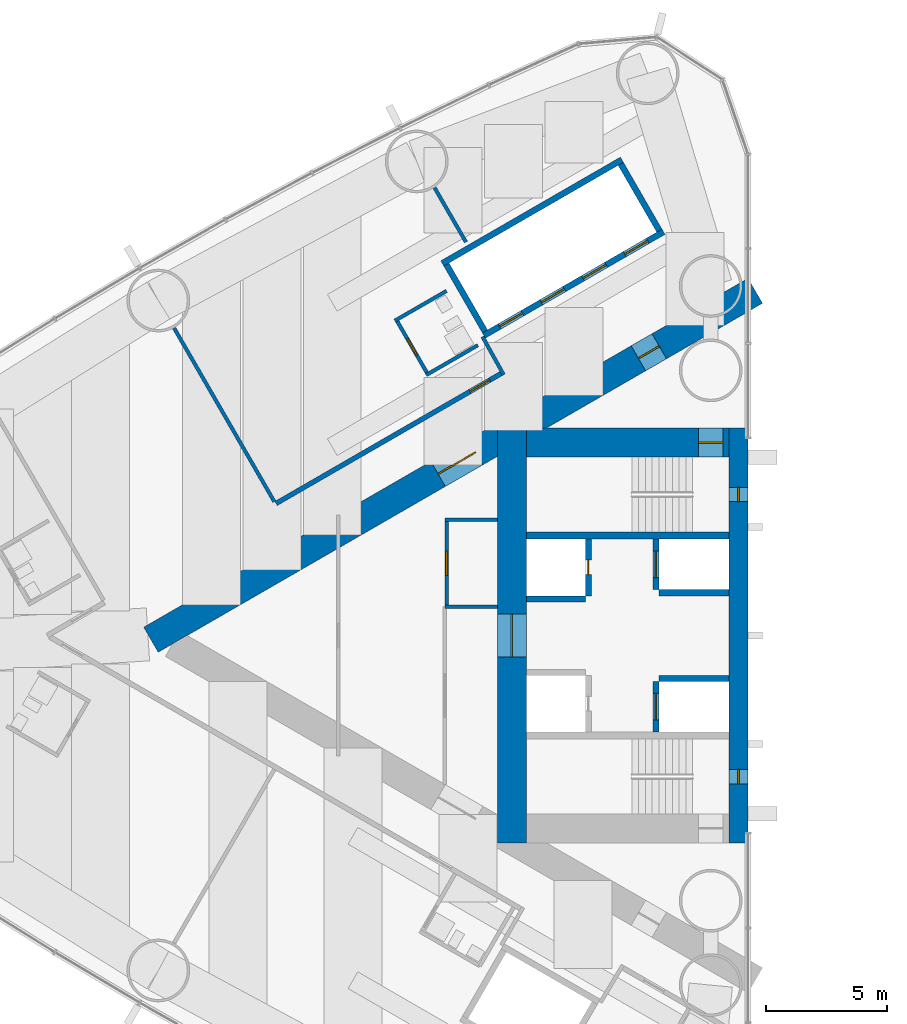
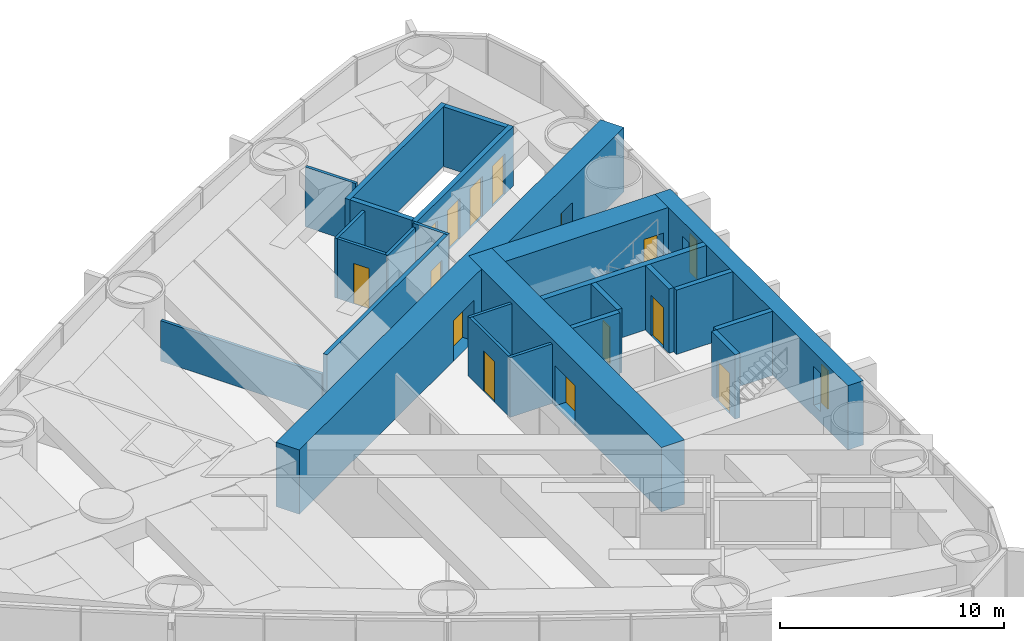
# One storey, part 12 of 18: 25 walls, 14 doors, 2 windows, 16 openings.
"""IFC4 building model written with IfcOpenShell, lengths in metres."""

from ifc_helpers import new_model, si_unit, direction, frame, frame_2d, origin, place, context, subcontext, project, spatial, rectangle, extrude, material, layer, layer_set, type_object, element, fill, save


model = new_model("IFC4")

# Units and contexts
model_context = context("Model", 3, precision=1e-05, world=origin(), true_north=direction((0.0, 1.0)))
body_context = subcontext(model_context, "Body", "Model", "MODEL_VIEW")
ifc_project = project(units=[si_unit("LENGTHUNIT", "METRE"), si_unit("AREAUNIT", "SQUARE_METRE"), si_unit("VOLUMEUNIT", "CUBIC_METRE"), si_unit("PLANEANGLEUNIT", "RADIAN"), si_unit("MASSUNIT", "GRAM", prefix="KILO")], contexts=[model_context])

# Site, building, storey
site_placement = place(None, origin())
site = spatial("IfcSite", under=ifc_project, at=site_placement, CompositionType="ELEMENT")
building_placement = place(site_placement, origin())
building = spatial("IfcBuilding", under=site, at=building_placement, Name="Lancet Gate Hotel", CompositionType="ELEMENT")
storey_placement = place(building_placement, frame((0.0, 0.0, 101.10009765625)))
storey = spatial("IfcBuildingStorey", under=building, at=storey_placement, Name="L26", CompositionType="ELEMENT", Elevation=101.10009765625)

# Wall
ifc_material_1 = material(Name="Moisture resistant board partition")
ifc_layer_1 = layer(ifc_material_1, 0.14990234375)
ifc_layer_set_1 = layer_set([ifc_layer_1], Name="Bathroom wall 150")
wall_type_1 = type_object("IfcWallType", Name="Bathroom wall 150", PredefinedType="PARTITIONING", material=ifc_layer_set_1)
wall_1_placement = place(storey_placement, frame((-40.009765625, 14.294189453125, 0.0), z_axis=(0.0, 0.0, 1.0), x_axis=(-0.866031185235, -0.4999899861, 0.0)))
element("IfcWall", 1, at=wall_1_placement, inside=storey, type_object=wall_type_1, Name="T1 bathroom wall 150 L26", PredefinedType="PARTITIONING", context=body_context, shape_type="SweptSolid", body=[
    extrude(rectangle(XDim=2.47509765625, YDim=0.14990234375, at=frame_2d((1.237548828125, 0.0))), origin(), (0.0, 0.0, 1.0), 3.25),
])

# Wall, opening, door
wall_2_placement = place(storey_placement, frame((-40.788330078125, 10.842529296875, 0.0), z_axis=(0.0, 0.0, 1.0), x_axis=(-0.500006934395, 0.866021400173, 0.0)))
wall_2 = element("IfcWall", 2, at=wall_2_placement, inside=storey, type_object=wall_type_1, Name="T1 bathroom wall 150 L26", PredefinedType="PARTITIONING", context=body_context, shape_type="SweptSolid", body=[
    extrude(rectangle(XDim=2.60009765625, YDim=0.14990234375, at=frame_2d((1.300048828125, 0.0))), origin(), (0.0, 0.0, 1.0), 3.25),
])
opening_1_placement = place(wall_2_placement, frame((0.89990234375, 0.0, 0.0)))
opening_1 = element("IfcOpeningElement", 3, at=opening_1_placement, cuts=wall_2, Name="Opening 2602-B", PredefinedType="OPENING", context=body_context, shape_type="SweptSolid", body=[
    extrude(rectangle(XDim=0.800048828125, YDim=2.199951171875, at=frame_2d((0.39990234375, 1.10009765625))), frame((0.0, 0.0849609375, 0.0), z_axis=(0.0, -1.0, 0.0), x_axis=(1.0, 0.0, 0.0)), (0.0, 0.0, 1.0), 0.169921875),
])
ifc_material_2 = material(Name="Timber door set", Category="wood")
door_type_1 = type_object("IfcDoorType", Name="Bathroom door 800", OperationType="SINGLE_SWING_RIGHT", PredefinedType="DOOR", material=ifc_material_2)
door_1_placement = place(opening_1_placement, origin())
door_1 = element("IfcDoor", 4, at=door_1_placement, inside=storey, type_object=door_type_1, Name="2602-B", OperationType="SINGLE_SWING_RIGHT", OverallHeight=2.199951171875, OverallWidth=0.800048828125, PredefinedType="DOOR", context=body_context, shape_type="SweptSolid", body=[
    extrude(rectangle(XDim=0.800048828125, YDim=2.199951171875, at=frame_2d((0.39990234375, 1.10009765625))), frame((0.0, 0.02490234375, 0.0), z_axis=(0.0, -1.0, 0.0), x_axis=(1.0, 0.0, 0.0)), (0.0, 0.0, 1.0), 0.050048828125),
])
fill(opening_1, door_1)

# Wall
wall_3_placement = place(storey_placement, frame((-38.7099609375, 12.04248046875, 0.0), z_axis=(0.0, 0.0, 1.0), x_axis=(-0.86604923931, -0.499958713387, 0.0)))
element("IfcWall", 5, at=wall_3_placement, inside=storey, type_object=wall_type_1, Name="T1 bathroom wall 150 L26", PredefinedType="PARTITIONING", context=body_context, shape_type="SweptSolid", body=[
    extrude(rectangle(XDim=2.474853515625, YDim=0.14990234375, at=frame_2d((1.2373046875, 0.0))), origin(), (0.0, 0.0, 1.0), 3.25),
])

# Wall, openings, doors
ifc_material_3 = material(Name="Concrete C70/85", Category="concrete")
ifc_layer_2 = layer(ifc_material_3, 1.199951171875)
ifc_layer_set_2 = layer_set([ifc_layer_2], Name="Buttress wall 1200")
wall_type_2 = type_object("IfcWallType", Name="Buttress wall 1200", PredefinedType="SHEAR", material=ifc_layer_set_2)
wall_4_placement = place(storey_placement, frame((-27.199951171875, 14.300048828125, 0.0), z_axis=(0.0, 0.0, 1.0), x_axis=(-0.866026593062, -0.499997940104, 0.0)))
wall_4 = element("IfcWall", 6, at=wall_4_placement, inside=storey, type_object=wall_type_2, Name="T1 buttress wall S L26", PredefinedType="SHEAR", context=body_context, shape_type="SweptSolid", body=[
    extrude(rectangle(XDim=28.9462890625, YDim=1.199951171875, at=frame_2d((14.47314453125, 0.0))), origin(), (0.0, 0.0, 1.0), 3.5),
])
opening_2_placement = place(wall_4_placement, frame((4.60009765625, 0.0, 0.0)))
opening_2 = element("IfcOpeningElement", 7, at=opening_2_placement, cuts=wall_4, Name="Opening T1-L26-LS", PredefinedType="OPENING", context=body_context, shape_type="SweptSolid", body=[
    extrude(rectangle(XDim=1.0, YDim=2.199951171875, at=frame_2d((0.5, 1.10009765625))), frame((0.0, 0.60986328125, 0.0), z_axis=(0.0, -1.0, 0.0), x_axis=(1.0, 0.0, 0.0)), (0.0, 0.0, 1.0), 1.219970703125),
])
opening_3_placement = place(wall_4_placement, frame((13.39453125, 0.0, 0.0)))
opening_3 = element("IfcOpeningElement", 8, at=opening_3_placement, cuts=wall_4, Name="Opening T1-L26-LHS", PredefinedType="OPENING", context=body_context, shape_type="SweptSolid", body=[
    extrude(rectangle(XDim=1.800048828125, YDim=2.199951171875, at=frame_2d((0.89990234375, 1.10009765625))), frame((0.0, 0.60986328125, 0.0), z_axis=(0.0, -1.0, 0.0), x_axis=(1.0, 0.0, 0.0)), (0.0, 0.0, 1.0), 1.219970703125),
])
ifc_material_4 = material(Name="Timber door set", Category="wood")
door_type_2 = type_object("IfcDoorType", Name="Lobby double door 1800", OperationType="DOUBLE_DOOR_SINGLE_SWING", PredefinedType="DOOR", material=ifc_material_4)
door_2_placement = place(opening_3_placement, origin())
door_2 = element("IfcDoor", 9, at=door_2_placement, inside=storey, type_object=door_type_2, Name="T1-L26-LHS", OperationType="DOUBLE_DOOR_SINGLE_SWING", OverallHeight=2.199951171875, OverallWidth=1.800048828125, PredefinedType="DOOR", context=body_context, shape_type="SweptSolid", body=[
    extrude(rectangle(XDim=1.800048828125, YDim=2.199951171875, at=frame_2d((0.89990234375, 1.10009765625))), frame((0.0, 0.02490234375, 0.0), z_axis=(0.0, -1.0, 0.0), x_axis=(1.0, 0.0, 0.0)), (0.0, 0.0, 1.0), 0.050048828125),
])
fill(opening_3, door_2)
ifc_material_5 = material(Name="Timber door set", Category="wood")
door_type_3 = type_object("IfcDoorType", Name="Stair lobby door 1000", OperationType="SINGLE_SWING_LEFT", PredefinedType="DOOR", material=ifc_material_5)
door_3_placement = place(opening_2_placement, origin())
door_3 = element("IfcDoor", 10, at=door_3_placement, inside=storey, type_object=door_type_3, Name="T1-L26-LS", OperationType="SINGLE_SWING_LEFT", OverallHeight=2.199951171875, OverallWidth=1.0, PredefinedType="DOOR", context=body_context, shape_type="SweptSolid", body=[
    extrude(rectangle(XDim=1.0, YDim=2.199951171875, at=frame_2d((0.5, 1.10009765625))), frame((0.0, 0.02490234375, 0.0), z_axis=(0.0, -1.0, 0.0), x_axis=(1.0, 0.0, 0.0)), (0.0, 0.0, 1.0), 0.050048828125),
])
fill(opening_2, door_3)

# Wall, opening, door
ifc_material_6 = material(Name="Concrete C70/85", Category="concrete")
ifc_layer_3 = layer(ifc_material_6, 1.199951171875)
ifc_layer_set_3 = layer_set([ifc_layer_3], Name="Core wall 1200")
wall_type_3 = type_object("IfcWallType", Name="Core wall 1200", PredefinedType="SHEAR", material=ifc_layer_set_3)
wall_5_placement = place(storey_placement, frame((-37.300048828125, 8.60009765625, 0.0), z_axis=(0.0, 0.0, 1.0), x_axis=(0.0, -1.0, 0.0)))
wall_5 = element("IfcWall", 11, at=wall_5_placement, inside=storey, type_object=wall_type_3, Name="T1 core wall back L26", PredefinedType="SHEAR", context=body_context, shape_type="SweptSolid", body=[
    extrude(rectangle(XDim=17.2001953125, YDim=1.199951171875, at=frame_2d((8.60009765625, 0.0))), origin(), (0.0, 0.0, 1.0), 3.5),
])
opening_4_placement = place(wall_5_placement, frame((7.699951171875, 0.0, 0.0)))
opening_4 = element("IfcOpeningElement", 12, at=opening_4_placement, cuts=wall_5, Name="Opening T1-L26-LL", PredefinedType="OPENING", context=body_context, shape_type="SweptSolid", body=[
    extrude(rectangle(XDim=1.800048828125, YDim=2.199951171875, at=frame_2d((0.89990234375, 1.10009765625))), frame((0.0, 0.60986328125, 0.0), z_axis=(0.0, -1.0, 0.0), x_axis=(1.0, 0.0, 0.0)), (0.0, 0.0, 1.0), 1.219970703125),
])
door_4_placement = place(opening_4_placement, origin())
door_4 = element("IfcDoor", 13, at=door_4_placement, inside=storey, type_object=door_type_2, Name="T1-L26-LL", OperationType="DOUBLE_DOOR_SINGLE_SWING", OverallHeight=2.199951171875, OverallWidth=1.800048828125, PredefinedType="DOOR", context=body_context, shape_type="SweptSolid", body=[
    extrude(rectangle(XDim=1.800048828125, YDim=2.199951171875, at=frame_2d((0.89990234375, 1.10009765625))), frame((0.0, 0.02490234375, 0.0), z_axis=(0.0, -1.0, 0.0), x_axis=(1.0, 0.0, 0.0)), (0.0, 0.0, 1.0), 0.050048828125),
])
fill(opening_4, door_4)

wall_6_placement = place(storey_placement, frame((-28.300048828125, 8.0, 0.0), z_axis=(0.0, 0.0, 1.0), x_axis=(-1.0, 0.0, 0.0)))
wall_6 = element("IfcWall", 14, at=wall_6_placement, inside=storey, type_object=wall_type_3, Name="T1 core wall side-S L26", PredefinedType="SHEAR", context=body_context, shape_type="SweptSolid", body=[
    extrude(rectangle(XDim=8.39990234375, YDim=1.199951171875, at=frame_2d((4.199951171875, 0.0))), origin(), (0.0, 0.0, 1.0), 3.5),
])
opening_5_placement = place(wall_6_placement, frame((0.25, 0.0, 0.0)))
opening_5 = element("IfcOpeningElement", 15, at=opening_5_placement, cuts=wall_6, Name="Opening T1-L26-ST1", PredefinedType="OPENING", context=body_context, shape_type="SweptSolid", body=[
    extrude(rectangle(XDim=1.0, YDim=2.199951171875, at=frame_2d((0.5, 1.10009765625))), frame((0.0, 0.60986328125, 0.0), z_axis=(0.0, -1.0, 0.0), x_axis=(1.0, 0.0, 0.0)), (0.0, 0.0, 1.0), 1.219970703125),
])
ifc_material_7 = material(Name="Timber door set", Category="wood")
door_type_4 = type_object("IfcDoorType", Name="Stair door 1000", OperationType="SINGLE_SWING_RIGHT", PredefinedType="DOOR", material=ifc_material_7)
door_5_placement = place(opening_5_placement, origin())
door_5 = element("IfcDoor", 16, at=door_5_placement, inside=storey, type_object=door_type_4, Name="T1-L26-ST1", OperationType="SINGLE_SWING_RIGHT", OverallHeight=2.199951171875, OverallWidth=1.0, PredefinedType="DOOR", context=body_context, shape_type="SweptSolid", body=[
    extrude(rectangle(XDim=1.0, YDim=2.199951171875, at=frame_2d((0.5, 1.10009765625))), frame((0.0, 0.02490234375, 0.0), z_axis=(0.0, -1.0, 0.0), x_axis=(1.0, 0.0, 0.0)), (0.0, 0.0, 1.0), 0.050048828125),
])
fill(opening_5, door_5)

# Wall, openings, windows
ifc_material_8 = material(Name="Concrete C70/85", Category="concrete")
ifc_layer_4 = layer(ifc_material_8, 0.800048828125)
ifc_layer_set_4 = layer_set([ifc_layer_4], Name="Core wall 800")
wall_type_4 = type_object("IfcWallType", Name="Core wall 800", PredefinedType="SHEAR", material=ifc_layer_set_4)
wall_7_placement = place(storey_placement, frame((-27.89990234375, 8.60009765625, 0.0), z_axis=(0.0, 0.0, 1.0), x_axis=(0.0, -1.0, 0.0)))
wall_7 = element("IfcWall", 17, at=wall_7_placement, inside=storey, type_object=wall_type_4, Name="T1 core wall front L26", PredefinedType="SHEAR", context=body_context, shape_type="SweptSolid", body=[
    extrude(rectangle(XDim=17.2001953125, YDim=0.800048828125, at=frame_2d((8.60009765625, 0.0))), origin(), (0.0, 0.0, 1.0), 3.5),
])
opening_6_placement = place(wall_7_placement, frame((2.449951171875, 0.0, 0.60009765625)))
opening_6 = element("IfcOpeningElement", 18, at=opening_6_placement, cuts=wall_7, Name="Opening LW1", PredefinedType="OPENING", context=body_context, shape_type="SweptSolid", body=[
    extrude(rectangle(XDim=0.60009765625, YDim=2.10009765625, at=frame_2d((0.300048828125, 1.050048828125))), frame((0.0, 0.409912109375, 0.0), z_axis=(0.0, -1.0, 0.0), x_axis=(1.0, 0.0, 0.0)), (0.0, 0.0, 1.0), 0.820068359375),
])
opening_7_placement = place(wall_7_placement, frame((14.14990234375, 0.0, 0.60009765625)))
opening_7 = element("IfcOpeningElement", 19, at=opening_7_placement, cuts=wall_7, Name="Opening LW1", PredefinedType="OPENING", context=body_context, shape_type="SweptSolid", body=[
    extrude(rectangle(XDim=0.60009765625, YDim=2.10009765625, at=frame_2d((0.300048828125, 1.050048828125))), frame((0.0, 0.409912109375, 0.0), z_axis=(0.0, -1.0, 0.0), x_axis=(1.0, 0.0, 0.0)), (0.0, 0.0, 1.0), 0.820068359375),
])
ifc_material_9 = material(Name="Fire-resisting glazed steel window", Category="steel")
window_type = type_object("IfcWindowType", Name="Lancet window 600x2100", PartitioningType="SINGLE_PANEL", PredefinedType="WINDOW", material=ifc_material_9)
window_1_placement = place(opening_6_placement, origin())
window_1 = element("IfcWindow", 20, at=window_1_placement, inside=storey, type_object=window_type, Name="T1 stair window S L26", OverallHeight=2.10009765625, OverallWidth=0.60009765625, PartitioningType="SINGLE_PANEL", PredefinedType="WINDOW", context=body_context, shape_type="SweptSolid", body=[
    extrude(rectangle(XDim=0.60009765625, YDim=2.10009765625, at=frame_2d((0.300048828125, 1.050048828125))), frame((0.0, 0.030029296875, 0.0), z_axis=(0.0, -1.0, 0.0), x_axis=(1.0, 0.0, 0.0)), (0.0, 0.0, 1.0), 0.06005859375),
])
fill(opening_6, window_1)
window_2_placement = place(opening_7_placement, origin())
window_2 = element("IfcWindow", 21, at=window_2_placement, inside=storey, type_object=window_type, Name="T1 stair window N L26", OverallHeight=2.10009765625, OverallWidth=0.60009765625, PartitioningType="SINGLE_PANEL", PredefinedType="WINDOW", context=body_context, shape_type="SweptSolid", body=[
    extrude(rectangle(XDim=0.60009765625, YDim=2.10009765625, at=frame_2d((0.300048828125, 1.050048828125))), frame((0.0, 0.030029296875, 0.0), z_axis=(0.0, -1.0, 0.0), x_axis=(1.0, 0.0, 0.0)), (0.0, 0.0, 1.0), 0.06005859375),
])
fill(opening_7, window_2)

# Wall, opening, door
ifc_material_10 = material(Name="Gypsum board partition")
ifc_layer_5 = layer(ifc_material_10, 0.199951171875)
ifc_layer_set_5 = layer_set([ifc_layer_5], Name="Corridor wall 200")
wall_type_5 = type_object("IfcWallType", Name="Corridor wall 200", PredefinedType="PARTITIONING", material=ifc_layer_set_5)
wall_8_placement = place(storey_placement, frame((-37.699951171875, 10.8935546875, 0.0), z_axis=(0.0, 0.0, 1.0), x_axis=(-0.866027551079, -0.499996280759, 0.0)))
wall_8 = element("IfcWall", 22, at=wall_8_placement, inside=storey, type_object=wall_type_5, Name="T1 corridor wall 200 L26", PredefinedType="PARTITIONING", context=body_context, shape_type="SweptSolid", body=[
    extrude(rectangle(XDim=10.83056640625, YDim=0.199951171875, at=frame_2d((5.415283203125, 0.0))), origin(), (0.0, 0.0, 1.0), 3.25),
])
opening_8_placement = place(wall_8_placement, frame((0.60009765625, 0.0, 0.0)))
opening_8 = element("IfcOpeningElement", 23, at=opening_8_placement, cuts=wall_8, Name="Opening 2602-E", PredefinedType="OPENING", context=body_context, shape_type="SweptSolid", body=[
    extrude(rectangle(XDim=0.949951171875, YDim=2.199951171875, at=frame_2d((0.47509765625, 1.10009765625))), frame((0.0, 0.10986328125, 0.0), z_axis=(0.0, -1.0, 0.0), x_axis=(1.0, 0.0, 0.0)), (0.0, 0.0, 1.0), 0.219970703125),
])
ifc_material_11 = material(Name="Timber door set", Category="wood")
door_type_5 = type_object("IfcDoorType", Name="Guest room entry door 950", OperationType="SINGLE_SWING_LEFT", PredefinedType="DOOR", material=ifc_material_11)
door_6_placement = place(opening_8_placement, origin())
door_6 = element("IfcDoor", 24, at=door_6_placement, inside=storey, type_object=door_type_5, Name="2602-E", OperationType="SINGLE_SWING_LEFT", OverallHeight=2.199951171875, OverallWidth=0.949951171875, PredefinedType="DOOR", context=body_context, shape_type="SweptSolid", body=[
    extrude(rectangle(XDim=0.949951171875, YDim=2.199951171875, at=frame_2d((0.47509765625, 1.10009765625))), frame((0.0, 0.02490234375, 0.0), z_axis=(0.0, -1.0, 0.0), x_axis=(1.0, 0.0, 0.0)), (0.0, 0.0, 1.0), 0.050048828125),
])
fill(opening_8, door_6)

# Wall, openings, doors
ifc_material_12 = material(Name="Gypsum board partition")
ifc_layer_6 = layer(ifc_material_12, 0.25)
ifc_layer_set_6 = layer_set([ifc_layer_6], Name="Lift shaft partition 250")
wall_type_6 = type_object("IfcWallType", Name="Lift shaft partition 250", PredefinedType="PARTITIONING", material=ifc_layer_set_6)
wall_9_placement = place(storey_placement, frame((-31.010498046875, 16.747314453125, 0.0), z_axis=(0.0, 0.0, 1.0), x_axis=(-0.866028165386, -0.499995216735, 0.0)))
wall_9 = element("IfcWall", 25, at=wall_9_placement, inside=storey, type_object=wall_type_6, Name="T1 lift shaft wall LR L26", PredefinedType="PARTITIONING", context=body_context, shape_type="SweptSolid", body=[
    extrude(rectangle(XDim=8.60009765625, YDim=0.25, at=frame_2d((4.300048828125, 0.0))), origin(), (0.0, 0.0, 1.0), 3.25),
])
opening_9_placement = place(wall_9_placement, frame((0.75, 0.0, 0.0)))
opening_9 = element("IfcOpeningElement", 26, at=opening_9_placement, cuts=wall_9, Name="Opening T1-LR1-L26", PredefinedType="OPENING", context=body_context, shape_type="SweptSolid", body=[
    extrude(rectangle(XDim=1.10009765625, YDim=2.199951171875, at=frame_2d((0.550048828125, 1.10009765625))), frame((0.0, 0.135009765625, 0.0), z_axis=(0.0, -1.0, 0.0), x_axis=(1.0, 0.0, 0.0)), (0.0, 0.0, 1.0), 0.27001953125),
])
opening_10_placement = place(wall_9_placement, frame((2.75, 0.0, 0.0)))
opening_10 = element("IfcOpeningElement", 27, at=opening_10_placement, cuts=wall_9, Name="Opening T1-LR2-L26", PredefinedType="OPENING", context=body_context, shape_type="SweptSolid", body=[
    extrude(rectangle(XDim=1.10009765625, YDim=2.199951171875, at=frame_2d((0.550048828125, 1.10009765625))), frame((0.0, 0.135009765625, 0.0), z_axis=(0.0, -1.0, 0.0), x_axis=(1.0, 0.0, 0.0)), (0.0, 0.0, 1.0), 0.27001953125),
])
opening_11_placement = place(wall_9_placement, frame((4.75, 0.0, 0.0)))
opening_11 = element("IfcOpeningElement", 28, at=opening_11_placement, cuts=wall_9, Name="Opening T1-LR3-L26", PredefinedType="OPENING", context=body_context, shape_type="SweptSolid", body=[
    extrude(rectangle(XDim=1.10009765625, YDim=2.199951171875, at=frame_2d((0.550048828125, 1.10009765625))), frame((0.0, 0.135009765625, 0.0), z_axis=(0.0, -1.0, 0.0), x_axis=(1.0, 0.0, 0.0)), (0.0, 0.0, 1.0), 0.27001953125),
])
opening_12_placement = place(wall_9_placement, frame((6.75, 0.0, 0.0)))
opening_12 = element("IfcOpeningElement", 29, at=opening_12_placement, cuts=wall_9, Name="Opening T1-LR4-L26", PredefinedType="OPENING", context=body_context, shape_type="SweptSolid", body=[
    extrude(rectangle(XDim=1.10009765625, YDim=2.199951171875, at=frame_2d((0.550048828125, 1.10009765625))), frame((0.0, 0.135009765625, 0.0), z_axis=(0.0, -1.0, 0.0), x_axis=(1.0, 0.0, 0.0)), (0.0, 0.0, 1.0), 0.27001953125),
])
ifc_material_13 = material(Name="Steel door set", Category="steel")
door_type_6 = type_object("IfcDoorType", Name="Lift landing door 1100", OperationType="DOUBLE_DOOR_SLIDING", PredefinedType="USERDEFINED", material=ifc_material_13)
door_7_placement = place(opening_9_placement, origin())
door_7 = element("IfcDoor", 30, at=door_7_placement, inside=storey, type_object=door_type_6, Name="T1-LR1-L26", ObjectType="LIFT LANDING DOOR", OperationType="DOUBLE_DOOR_SLIDING", OverallHeight=2.199951171875, OverallWidth=1.10009765625, PredefinedType="USERDEFINED", context=body_context, shape_type="SweptSolid", body=[
    extrude(rectangle(XDim=1.10009765625, YDim=2.199951171875, at=frame_2d((0.550048828125, 1.10009765625))), frame((0.0, 0.02490234375, 0.0), z_axis=(0.0, -1.0, 0.0), x_axis=(1.0, 0.0, 0.0)), (0.0, 0.0, 1.0), 0.050048828125),
])
fill(opening_9, door_7)
door_8_placement = place(opening_10_placement, origin())
door_8 = element("IfcDoor", 31, at=door_8_placement, inside=storey, type_object=door_type_6, Name="T1-LR2-L26", ObjectType="LIFT LANDING DOOR", OperationType="DOUBLE_DOOR_SLIDING", OverallHeight=2.199951171875, OverallWidth=1.10009765625, PredefinedType="USERDEFINED", context=body_context, shape_type="SweptSolid", body=[
    extrude(rectangle(XDim=1.10009765625, YDim=2.199951171875, at=frame_2d((0.550048828125, 1.10009765625))), frame((0.0, 0.02490234375, 0.0), z_axis=(0.0, -1.0, 0.0), x_axis=(1.0, 0.0, 0.0)), (0.0, 0.0, 1.0), 0.050048828125),
])
fill(opening_10, door_8)
door_9_placement = place(opening_11_placement, origin())
door_9 = element("IfcDoor", 32, at=door_9_placement, inside=storey, type_object=door_type_6, Name="T1-LR3-L26", ObjectType="LIFT LANDING DOOR", OperationType="DOUBLE_DOOR_SLIDING", OverallHeight=2.199951171875, OverallWidth=1.10009765625, PredefinedType="USERDEFINED", context=body_context, shape_type="SweptSolid", body=[
    extrude(rectangle(XDim=1.10009765625, YDim=2.199951171875, at=frame_2d((0.550048828125, 1.10009765625))), frame((0.0, 0.02490234375, 0.0), z_axis=(0.0, -1.0, 0.0), x_axis=(1.0, 0.0, 0.0)), (0.0, 0.0, 1.0), 0.050048828125),
])
fill(opening_11, door_9)
door_10_placement = place(opening_12_placement, origin())
door_10 = element("IfcDoor", 33, at=door_10_placement, inside=storey, type_object=door_type_6, Name="T1-LR4-L26", ObjectType="LIFT LANDING DOOR", OperationType="DOUBLE_DOOR_SLIDING", OverallHeight=2.199951171875, OverallWidth=1.10009765625, PredefinedType="USERDEFINED", context=body_context, shape_type="SweptSolid", body=[
    extrude(rectangle(XDim=1.10009765625, YDim=2.199951171875, at=frame_2d((0.550048828125, 1.10009765625))), frame((0.0, 0.02490234375, 0.0), z_axis=(0.0, -1.0, 0.0), x_axis=(1.0, 0.0, 0.0)), (0.0, 0.0, 1.0), 0.050048828125),
])
fill(opening_12, door_10)

# Walls
wall_10_placement = place(storey_placement, frame((-32.735595703125, 19.73583984375, 0.0), z_axis=(0.0, 0.0, 1.0), x_axis=(-0.866028165386, -0.499995216735, 0.0)))
element("IfcWall", 34, at=wall_10_placement, inside=storey, type_object=wall_type_6, Name="T1 lift shaft wall LR L26", PredefinedType="PARTITIONING", context=body_context, shape_type="SweptSolid", body=[
    extrude(rectangle(XDim=8.60009765625, YDim=0.25, at=frame_2d((4.300048828125, 0.0))), origin(), (0.0, 0.0, 1.0), 3.25),
])
wall_11_placement = place(storey_placement, frame((-31.18115234375, 16.79296875, 0.0), z_axis=(0.0, 0.0, 1.0), x_axis=(-0.499929347863, 0.866066190972, 0.0)))
element("IfcWall", 35, at=wall_11_placement, inside=storey, type_object=wall_type_6, Name="T1 lift shaft wall LR L26", PredefinedType="PARTITIONING", context=body_context, shape_type="SweptSolid", body=[
    extrude(rectangle(XDim=3.20068359375, YDim=0.25, at=frame_2d((1.600341796875, 0.0))), origin(), (0.0, 0.0, 1.0), 3.25),
])
wall_12_placement = place(storey_placement, frame((-38.412841796875, 12.617919921875, 0.0), z_axis=(0.0, 0.0, 1.0), x_axis=(-0.499872130319, 0.866099216793, 0.0)))
element("IfcWall", 36, at=wall_12_placement, inside=storey, type_object=wall_type_6, Name="T1 lift shaft wall LR L26", PredefinedType="PARTITIONING", context=body_context, shape_type="SweptSolid", body=[
    extrude(rectangle(XDim=3.200439453125, YDim=0.25, at=frame_2d((1.60009765625, 0.0))), origin(), (0.0, 0.0, 1.0), 3.25),
])

# Wall, opening, door
ifc_material_14 = material(Name="Concrete C50/60", Category="concrete")
ifc_layer_7 = layer(ifc_material_14, 0.25)
ifc_layer_set_7 = layer_set([ifc_layer_7], Name="Lift shaft wall 250")
wall_type_7 = type_object("IfcWallType", Name="Lift shaft wall 250", PredefinedType="SHEAR", material=ifc_layer_set_7)
wall_13_placement = place(storey_placement, frame((-31.324951171875, 4.0, 0.0), z_axis=(0.0, 0.0, 1.0), x_axis=(0.0, -1.0, 0.0)))
wall_13 = element("IfcWall", 37, at=wall_13_placement, inside=storey, type_object=wall_type_7, Name="T1 core wall row1-S L26", PredefinedType="SHEAR", context=body_context, shape_type="SweptSolid", body=[
    extrude(rectangle(XDim=2.10009765625, YDim=0.25, at=frame_2d((1.050048828125, 0.0))), origin(), (0.0, 0.0, 1.0), 3.5),
])
opening_13_placement = place(wall_13_placement, frame((0.5, 0.0, 0.0)))
opening_13 = element("IfcOpeningElement", 38, at=opening_13_placement, cuts=wall_13, Name="Opening T1-SL1-L26", PredefinedType="OPENING", context=body_context, shape_type="SweptSolid", body=[
    extrude(rectangle(XDim=1.10009765625, YDim=2.199951171875, at=frame_2d((0.550048828125, 1.10009765625))), frame((0.0, 0.135009765625, 0.0), z_axis=(0.0, -1.0, 0.0), x_axis=(1.0, 0.0, 0.0)), (0.0, 0.0, 1.0), 0.27001953125),
])
ifc_material_15 = material(Name="Timber door set", Category="wood")
door_type_7 = type_object("IfcDoorType", Name="Service lift landing door 1100", OperationType="SLIDING_TO_LEFT", PredefinedType="USERDEFINED", material=ifc_material_15)
door_11_placement = place(opening_13_placement, origin())
door_11 = element("IfcDoor", 39, at=door_11_placement, inside=storey, type_object=door_type_7, Name="T1-SL1-L26", ObjectType="LIFT LANDING DOOR", OperationType="SLIDING_TO_LEFT", OverallHeight=2.199951171875, OverallWidth=1.10009765625, PredefinedType="USERDEFINED", context=body_context, shape_type="SweptSolid", body=[
    extrude(rectangle(XDim=1.10009765625, YDim=2.199951171875, at=frame_2d((0.550048828125, 1.10009765625))), frame((0.0, 0.02490234375, 0.0), z_axis=(0.0, -1.0, 0.0), x_axis=(1.0, 0.0, 0.0)), (0.0, 0.0, 1.0), 0.050048828125),
])
fill(opening_13, door_11)

wall_14_placement = place(storey_placement, frame((-34.125, 4.0, 0.0), z_axis=(0.0, 0.0, 1.0), x_axis=(0.0, -1.0, 0.0)))
wall_14 = element("IfcWall", 40, at=wall_14_placement, inside=storey, type_object=wall_type_7, Name="T1 core wall row2-S L26", PredefinedType="SHEAR", context=body_context, shape_type="SweptSolid", body=[
    extrude(rectangle(XDim=2.35009765625, YDim=0.25, at=frame_2d((1.175048828125, 0.0))), origin(), (0.0, 0.0, 1.0), 3.5),
])
opening_14_placement = place(wall_14_placement, frame((0.875, 0.0, 0.0)))
opening_14 = element("IfcOpeningElement", 41, at=opening_14_placement, cuts=wall_14, Name="Opening T1-OL3-L26-E", PredefinedType="OPENING", context=body_context, shape_type="SweptSolid", body=[
    extrude(rectangle(XDim=0.60009765625, YDim=2.0, at=frame_2d((0.300048828125, 1.0))), frame((0.0, 0.135009765625, 0.0), z_axis=(0.0, -1.0, 0.0), x_axis=(1.0, 0.0, 0.0)), (0.0, 0.0, 1.0), 0.27001953125),
])
ifc_material_16 = material(Name="Steel door set", Category="steel")
door_type_8 = type_object("IfcDoorType", Name="Lift shaft emergency door 600x2000", OperationType="SLIDING_TO_LEFT", PredefinedType="DOOR", material=ifc_material_16)
door_12_placement = place(opening_14_placement, origin())
door_12 = element("IfcDoor", 42, at=door_12_placement, inside=storey, type_object=door_type_8, Name="T1-OL3-L26-E", OperationType="SLIDING_TO_LEFT", OverallHeight=2.0, OverallWidth=0.60009765625, PredefinedType="DOOR", context=body_context, shape_type="SweptSolid", body=[
    extrude(rectangle(XDim=0.60009765625, YDim=2.0, at=frame_2d((0.300048828125, 1.0))), frame((0.0, 0.02490234375, 0.0), z_axis=(0.0, -1.0, 0.0), x_axis=(1.0, 0.0, 0.0)), (0.0, 0.0, 1.0), 0.050048828125),
])
fill(opening_14, door_12)

# Walls
wall_15_placement = place(storey_placement, frame((-28.300048828125, 1.77490234375, 0.0), z_axis=(0.0, 0.0, 1.0), x_axis=(-1.0, 0.0, 0.0)))
element("IfcWall", 43, at=wall_15_placement, inside=storey, type_object=wall_type_7, Name="T1 core wall pass1-S L26", PredefinedType="SHEAR", context=body_context, shape_type="SweptSolid", body=[
    extrude(rectangle(XDim=2.89990234375, YDim=0.25, at=frame_2d((1.449951171875, 0.0))), origin(), (0.0, 0.0, 1.0), 3.5),
])
wall_16_placement = place(storey_placement, frame((-34.25, 1.52490234375, 0.0), z_axis=(0.0, 0.0, 1.0), x_axis=(-1.0, 0.0, 0.0)))
element("IfcWall", 44, at=wall_16_placement, inside=storey, type_object=wall_type_7, Name="T1 core wall pass2-S L26", PredefinedType="SHEAR", context=body_context, shape_type="SweptSolid", body=[
    extrude(rectangle(XDim=2.449951171875, YDim=0.25, at=frame_2d((1.22509765625, 0.0))), origin(), (0.0, 0.0, 1.0), 3.5),
])

# Wall, opening, door
wall_17_placement = place(storey_placement, frame((-31.324951171875, -1.89990234375, 0.0), z_axis=(0.0, 0.0, 1.0), x_axis=(0.0, -1.0, 0.0)))
wall_17 = element("IfcWall", 45, at=wall_17_placement, inside=storey, type_object=wall_type_7, Name="T1 core wall row1-N L26", PredefinedType="SHEAR", context=body_context, shape_type="SweptSolid", body=[
    extrude(rectangle(XDim=2.10009765625, YDim=0.25, at=frame_2d((1.050048828125, 0.0))), origin(), (0.0, 0.0, 1.0), 3.5),
])
opening_15_placement = place(wall_17_placement, frame((0.5, 0.0, 0.0)))
opening_15 = element("IfcOpeningElement", 46, at=opening_15_placement, cuts=wall_17, Name="Opening T1-FL2-L26", PredefinedType="OPENING", context=body_context, shape_type="SweptSolid", body=[
    extrude(rectangle(XDim=1.10009765625, YDim=2.199951171875, at=frame_2d((0.550048828125, 1.10009765625))), frame((0.0, 0.135009765625, 0.0), z_axis=(0.0, -1.0, 0.0), x_axis=(1.0, 0.0, 0.0)), (0.0, 0.0, 1.0), 0.27001953125),
])
ifc_material_17 = material(Name="Steel door set", Category="steel")
door_type_9 = type_object("IfcDoorType", Name="Firefighting lift landing door 1100", OperationType="SLIDING_TO_LEFT", PredefinedType="USERDEFINED", material=ifc_material_17)
door_13_placement = place(opening_15_placement, origin())
door_13 = element("IfcDoor", 47, at=door_13_placement, inside=storey, type_object=door_type_9, Name="T1-FL2-L26", ObjectType="LIFT LANDING DOOR", OperationType="SLIDING_TO_LEFT", OverallHeight=2.199951171875, OverallWidth=1.10009765625, PredefinedType="USERDEFINED", context=body_context, shape_type="SweptSolid", body=[
    extrude(rectangle(XDim=1.10009765625, YDim=2.199951171875, at=frame_2d((0.550048828125, 1.10009765625))), frame((0.0, 0.02490234375, 0.0), z_axis=(0.0, -1.0, 0.0), x_axis=(1.0, 0.0, 0.0)), (0.0, 0.0, 1.0), 0.050048828125),
])
fill(opening_15, door_13)

# Walls
wall_18_placement = place(storey_placement, frame((-28.300048828125, -1.77490234375, 0.0), z_axis=(0.0, 0.0, 1.0), x_axis=(-1.0, 0.0, 0.0)))
element("IfcWall", 48, at=wall_18_placement, inside=storey, type_object=wall_type_7, Name="T1 core wall pass1-N L26", PredefinedType="SHEAR", context=body_context, shape_type="SweptSolid", body=[
    extrude(rectangle(XDim=2.89990234375, YDim=0.25, at=frame_2d((1.449951171875, 0.0))), origin(), (0.0, 0.0, 1.0), 3.5),
])
ifc_material_18 = material(Name="Gypsum board partition")
ifc_layer_8 = layer(ifc_material_18, 0.14990234375)
ifc_layer_set_8 = layer_set([ifc_layer_8], Name="Party wall 150")
wall_type_8 = type_object("IfcWallType", Name="Party wall 150", PredefinedType="PARTITIONING", material=ifc_layer_set_8)
wall_19_placement = place(storey_placement, frame((-47.151123046875, 5.552490234375, 0.0), z_axis=(0.0, 0.0, 1.0), x_axis=(-0.500003012045, 0.866023664773, 0.0)))
element("IfcWall", 49, at=wall_19_placement, inside=storey, type_object=wall_type_8, Name="T1 party wall 150 L26", PredefinedType="PARTITIONING", context=body_context, shape_type="SweptSolid", body=[
    extrude(rectangle(XDim=8.31103515625, YDim=0.14990234375, at=frame_2d((4.155517578125, 0.0))), origin(), (0.0, 0.0, 1.0), 2.199951171875),
])
wall_20_placement = place(storey_placement, frame((-39.202392578125, 16.31982421875, 0.0), z_axis=(0.0, 0.0, 1.0), x_axis=(-0.499947391036, 0.866055775454, 0.0)))
element("IfcWall", 50, at=wall_20_placement, inside=storey, type_object=wall_type_8, Name="T1 party wall 150 L26", PredefinedType="PARTITIONING", context=body_context, shape_type="SweptSolid", body=[
    extrude(rectangle(XDim=2.599365234375, YDim=0.14990234375, at=frame_2d((1.2998046875, 0.0))), origin(), (0.0, 0.0, 1.0), 3.25),
])
ifc_material_19 = material(Name="Gypsum board partition")
ifc_layer_9 = layer(ifc_material_19, 0.14990234375)
ifc_layer_set_9 = layer_set([ifc_layer_9], Name="Service room wall 150")
wall_type_9 = type_object("IfcWallType", Name="Service room wall 150", PredefinedType="PARTITIONING", material=ifc_layer_set_9)
wall_21_placement = place(storey_placement, frame((-38.513427734375, 12.392333984375, 0.0), z_axis=(0.0, 0.0, 1.0), x_axis=(0.485585508183, -0.874189175317, 0.0)))
element("IfcWall", 51, at=wall_21_placement, inside=storey, type_object=wall_type_9, Name="T1 service room wall 150 L26", PredefinedType="PARTITIONING", context=body_context, shape_type="SweptSolid", body=[
    extrude(rectangle(XDim=1.804931640625, YDim=0.14990234375, at=frame_2d((0.90234375, 0.0))), origin(), (0.0, 0.0, 1.0), 3.25),
])
for number, where, z_axis, x_axis, name in (
    (52, (-37.89990234375, 1.199951171875, 0.0), (0.0, 0.0, 1.0), (-1.0, 0.0, 0.0), "T1 service room wall 150 L26"),
    (53, (-37.89990234375, 4.800048828125, 0.0), (0.0, 0.0, 1.0), (-1.0, 0.0, 0.0), "T1 service room wall 150 L26"),
):
    element("IfcWall", number, at=place(storey_placement, frame(where, z_axis=z_axis, x_axis=x_axis)), inside=storey, type_object=wall_type_9, Name=name, PredefinedType="PARTITIONING", context=body_context, shape_type="SweptSolid", body=[
        extrude(rectangle(XDim=2.175048828125, YDim=0.14990234375, at=frame_2d((1.08740234375, 0.0))), origin(), (0.0, 0.0, 1.0), 3.25),
    ])

# Wall, opening, door
wall_22_placement = place(storey_placement, frame((-40.0, 4.875, 0.0), z_axis=(0.0, 0.0, 1.0), x_axis=(0.0, -1.0, 0.0)))
wall_22 = element("IfcWall", 54, at=wall_22_placement, inside=storey, type_object=wall_type_9, Name="T1 service room wall 150 L26", PredefinedType="PARTITIONING", context=body_context, shape_type="SweptSolid", body=[
    extrude(rectangle(XDim=3.75, YDim=0.14990234375, at=frame_2d((1.875, 0.0))), origin(), (0.0, 0.0, 1.0), 3.25),
])
opening_16_placement = place(wall_22_placement, frame((1.375, 0.0, 0.0)))
opening_16 = element("IfcOpeningElement", 55, at=opening_16_placement, cuts=wall_22, Name="Opening T1-L26-HRS0", PredefinedType="OPENING", context=body_context, shape_type="SweptSolid", body=[
    extrude(rectangle(XDim=1.0, YDim=2.199951171875, at=frame_2d((0.5, 1.10009765625))), frame((0.0, 0.0849609375, 0.0), z_axis=(0.0, -1.0, 0.0), x_axis=(1.0, 0.0, 0.0)), (0.0, 0.0, 1.0), 0.169921875),
])
ifc_material_20 = material(Name="Timber door set", Category="wood")
door_type_10 = type_object("IfcDoorType", Name="Service door 1000", OperationType="SINGLE_SWING_LEFT", PredefinedType="DOOR", material=ifc_material_20)
door_14_placement = place(opening_16_placement, origin())
door_14 = element("IfcDoor", 56, at=door_14_placement, inside=storey, type_object=door_type_10, Name="T1-L26-HRS0", OperationType="SINGLE_SWING_LEFT", OverallHeight=2.199951171875, OverallWidth=1.0, PredefinedType="DOOR", context=body_context, shape_type="SweptSolid", body=[
    extrude(rectangle(XDim=1.0, YDim=2.199951171875, at=frame_2d((0.5, 1.10009765625))), frame((0.0, 0.02490234375, 0.0), z_axis=(0.0, -1.0, 0.0), x_axis=(1.0, 0.0, 0.0)), (0.0, 0.0, 1.0), 0.050048828125),
])
fill(opening_16, door_14)

# Wall
ifc_material_21 = material(Name="Concrete C50/60", Category="concrete")
ifc_layer_10 = layer(ifc_material_21, 0.300048828125)
ifc_layer_set_10 = layer_set([ifc_layer_10], Name="Stair enclosure wall 300")
wall_type_10 = type_object("IfcWallType", Name="Stair enclosure wall 300", PredefinedType="SHEAR", material=ifc_layer_set_10)
wall_23_placement = place(storey_placement, frame((-28.300048828125, 4.14990234375, 0.0), z_axis=(0.0, 0.0, 1.0), x_axis=(-1.0, 0.0, 0.0)))
element("IfcWall", 57, at=wall_23_placement, inside=storey, type_object=wall_type_10, Name="T1 core wall stair-S L26", PredefinedType="SHEAR", context=body_context, shape_type="SweptSolid", body=[
    extrude(rectangle(XDim=8.39990234375, YDim=0.300048828125, at=frame_2d((4.199951171875, 0.0))), origin(), (0.0, 0.0, 1.0), 3.5),
])

save(model, "model.ifc")
